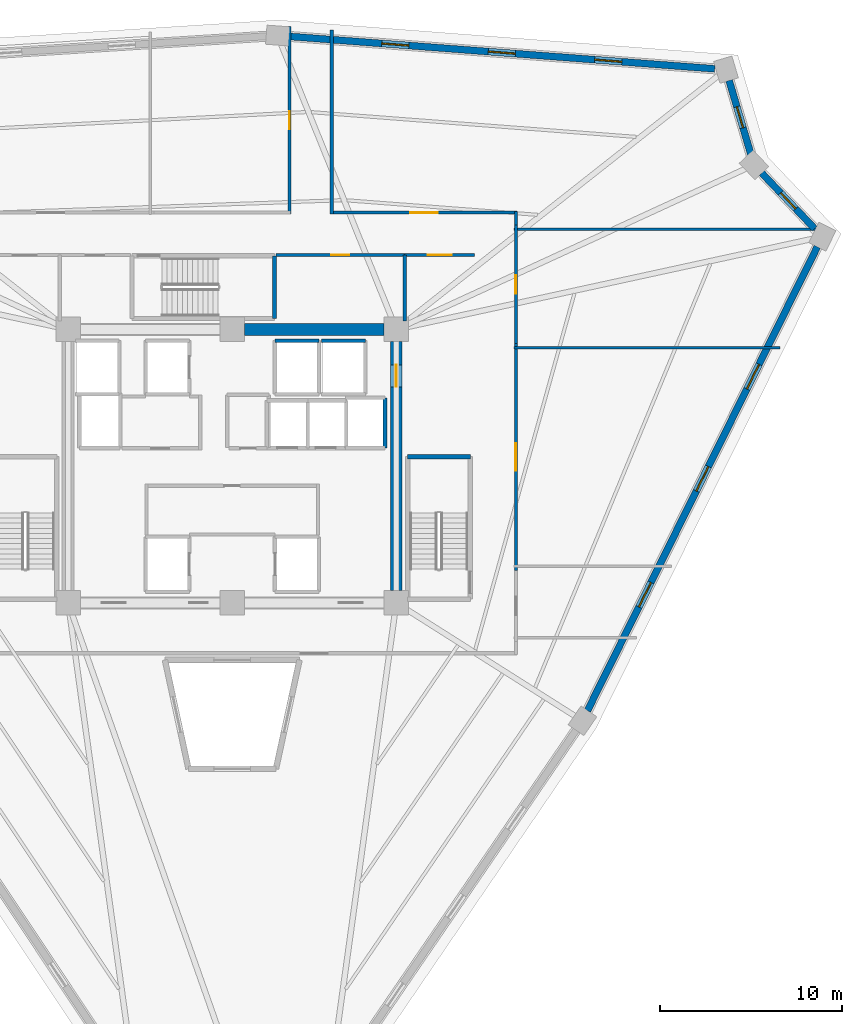
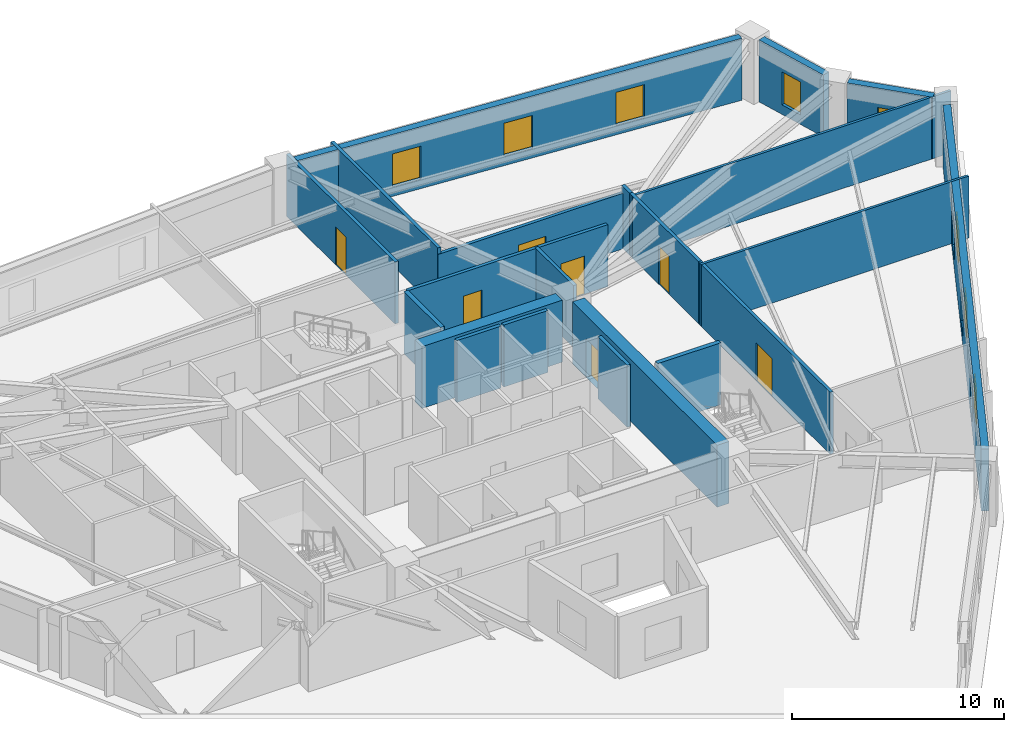
# One storey, part 6 of 9: 22 walls, 8 windows, 7 doors, 15 openings.
"""IFC4 building model written with IfcOpenShell, lengths in metres."""

from ifc_helpers import new_model, si_unit, direction, frame, frame_2d, origin, place, context, subcontext, project, spatial, rectangle, extrude, source, transform, mapped, material, layer, layer_set, type_object, element, fill, save


model = new_model("IFC4")

# Units and contexts
model_context = context("Model", 3, precision=1e-05, world=origin(), true_north=direction((0.0, 1.0)))
body_context = subcontext(model_context, "Body", "Model", "MODEL_VIEW")
ifc_project = project(units=[si_unit("LENGTHUNIT", "METRE"), si_unit("AREAUNIT", "SQUARE_METRE"), si_unit("VOLUMEUNIT", "CUBIC_METRE"), si_unit("PLANEANGLEUNIT", "RADIAN"), si_unit("MASSUNIT", "GRAM", prefix="KILO")], contexts=[model_context])

# Site, building, storey
site_placement = place(None, origin())
site = spatial("IfcSite", under=ifc_project, at=site_placement, CompositionType="ELEMENT")
building_placement = place(site_placement, origin())
building = spatial("IfcBuilding", under=site, at=building_placement, Name="Liaohun Quay Tower", CompositionType="ELEMENT")
storey_placement = place(building_placement, frame((0.0, 0.0, 236.25)))
storey = spatial("IfcBuildingStorey", under=building, at=storey_placement, Name="L61", CompositionType="ELEMENT", Elevation=236.25)

# Wall
ifc_material_1 = material(Name="Concrete C55", Category="concrete")
ifc_layer_1 = layer(ifc_material_1, 0.64990234375, Name="Concrete C55", Category="concrete")
ifc_layer_set_1 = layer_set([ifc_layer_1], Name="Concrete C55")
wall_type_1 = type_object("IfcWallType", Name="WAL-COR-Z3", PredefinedType="SHEAR", material=ifc_layer_set_1)
wall_1_placement = place(storey_placement, frame((60.675048828125, 61.5, 0.0), z_axis=(0.0, 0.0, 1.0), x_axis=(1.0, 0.0, 0.0)))
element("IfcWall", 1, at=wall_1_placement, inside=storey, type_object=wall_type_1, Name="L61 Central Core Shear Wall N-E", PredefinedType="SHEAR", context=body_context, shape_type="SweptSolid", body=[
    extrude(rectangle(XDim=7.64990234375, YDim=0.64990234375, at=frame_2d((3.824951171875, 0.0))), origin(), (0.0, 0.0, 1.0), 3.570068359375),
])

# Wall, opening, door
wall_2_placement = place(storey_placement, frame((69.0, 60.824951171875, 0.0), z_axis=(0.0, 0.0, 1.0), x_axis=(0.0, -1.0, 0.0)))
wall_2 = element("IfcWall", 2, at=wall_2_placement, inside=storey, type_object=wall_type_1, Name="L61 Central Core Shear Wall E", PredefinedType="SHEAR", context=body_context, shape_type="SweptSolid", body=[
    extrude(rectangle(XDim=13.64990234375, YDim=0.64990234375, at=frame_2d((6.824951171875, 0.0))), origin(), (0.0, 0.0, 1.0), 3.570068359375),
])
shared_shape_1 = source(origin(), body_context, "Body", "SweptSolid", [
    extrude(rectangle(XDim=1.199951171875, YDim=2.199951171875, at=frame_2d((0.60009765625, 1.10009765625))), frame((0.0, 0.3349609375, 0.0), z_axis=(0.0, -1.0, 0.0), x_axis=(1.0, 0.0, 0.0)), (0.0, 0.0, 1.0), 0.669921875),
])
opening_1_placement = place(wall_2_placement, frame((1.27490234375, 0.0, 0.0)))
opening_1 = element("IfcOpeningElement", 3, at=opening_1_placement, cuts=wall_2, Name="Opening SD1", PredefinedType="OPENING", context=body_context, shape_type="MappedRepresentation", body=[
    mapped(shared_shape_1, transform((0.0, 0.0, 0.0), x_axis=(1.0, 0.0, 0.0), y_axis=(0.0, 1.0, 0.0), z_axis=(0.0, 0.0, 1.0), scale=1.0)),
])
ifc_material_2 = material(Name="Galvanised steel fire door", Category="steel")
door_type_1 = type_object("IfcDoorType", Name="DOR-STR-1200", OperationType="NOTDEFINED", PredefinedType="DOOR", material=ifc_material_2)
shared_shape_2 = source(origin(), body_context, "Body", "SweptSolid", [
    extrude(rectangle(XDim=1.199951171875, YDim=2.199951171875, at=frame_2d((0.60009765625, 1.10009765625))), frame((0.0, 0.02490234375, 0.0), z_axis=(0.0, -1.0, 0.0), x_axis=(1.0, 0.0, 0.0)), (0.0, 0.0, 1.0), 0.050048828125),
])
door_1_placement = place(opening_1_placement, origin())
door_1 = element("IfcDoor", 4, at=door_1_placement, inside=storey, type_object=door_type_1, Name="L61 North-East Core Lobby Smokeproof Door", OperationType="SINGLE_SWING_LEFT", OverallHeight=2.199951171875, OverallWidth=1.199951171875, PredefinedType="DOOR", context=body_context, shape_type="MappedRepresentation", body=[
    mapped(shared_shape_2, transform((0.0, 0.0, 0.0), x_axis=(1.0, 0.0, 0.0), y_axis=(0.0, 1.0, 0.0), z_axis=(0.0, 0.0, 1.0), scale=1.0)),
])
fill(opening_1, door_1)

# Wall, openings, windows
ifc_material_3 = material(Name="Precast concrete C50 insulated sandwich", Category="concrete")
ifc_layer_2 = layer(ifc_material_3, 0.3798828125, Name="Precast concrete C50 insulated sandwich", Category="concrete")
ifc_layer_set_2 = layer_set([ifc_layer_2], Name="Precast concrete C50 insulated sandwich")
wall_type_2 = type_object("IfcWallType", Name="WAL-EXT-Z34", PredefinedType="SOLIDWALL", material=ifc_layer_set_2)
wall_3_placement = place(storey_placement, frame((79.48291015625, 40.5849609375, 0.0), z_axis=(0.0, 0.0, 1.0), x_axis=(0.444016540866, 0.896018588779, 0.0)))
wall_3 = element("IfcWall", 5, at=wall_3_placement, inside=storey, type_object=wall_type_2, Name="L61 Brutalist Precast Pier Wall 03", PredefinedType="SOLIDWALL", context=body_context, shape_type="SweptSolid", body=[
    extrude(rectangle(XDim=28.40234375, YDim=0.3798828125, at=frame_2d((14.201171875, 0.0))), origin(), (0.0, 0.0, 1.0), 3.570068359375),
])
shared_shape_3 = source(origin(), body_context, "Body", "SweptSolid", [
    extrude(rectangle(XDim=1.5, YDim=1.89990234375, at=frame_2d((0.75, 0.949951171875))), frame((0.0, 0.199951171875, 0.0), z_axis=(0.0, -1.0, 0.0), x_axis=(1.0, 0.0, 0.0)), (0.0, 0.0, 1.0), 0.39990234375),
])
opening_2_placement = place(wall_3_placement, frame((6.35107421875, 0.0, 0.550048828125)))
opening_2 = element("IfcOpeningElement", 6, at=opening_2_placement, cuts=wall_3, Name="Opening W03", PredefinedType="OPENING", context=body_context, shape_type="MappedRepresentation", body=[
    mapped(shared_shape_3, transform((0.0, 0.0, 0.0), x_axis=(1.0, 0.0, 0.0), y_axis=(0.0, 1.0, 0.0), z_axis=(0.0, 0.0, 1.0), scale=1.0)),
])
opening_3_placement = place(wall_3_placement, frame((13.450927734375, 0.0, 0.550048828125)))
opening_3 = element("IfcOpeningElement", 7, at=opening_3_placement, cuts=wall_3, Name="Opening W03", PredefinedType="OPENING", context=body_context, shape_type="MappedRepresentation", body=[
    mapped(shared_shape_3, transform((0.0, 0.0, 0.0), x_axis=(1.0, 0.0, 0.0), y_axis=(0.0, 1.0, 0.0), z_axis=(0.0, 0.0, 1.0), scale=1.0)),
])
opening_4_placement = place(wall_3_placement, frame((19.701904296875, 0.0, 0.550048828125)))
opening_4 = element("IfcOpeningElement", 8, at=opening_4_placement, cuts=wall_3, Name="Opening W03", PredefinedType="OPENING", context=body_context, shape_type="MappedRepresentation", body=[
    mapped(shared_shape_3, transform((0.0, 0.0, 0.0), x_axis=(1.0, 0.0, 0.0), y_axis=(0.0, 1.0, 0.0), z_axis=(0.0, 0.0, 1.0), scale=1.0)),
])
ifc_material_4 = material(Name="Triple Low-E argon glazing in thermally broken aluminium", Category="aluminium")
window_type_1 = type_object("IfcWindowType", Name="WIN-PUN-Z3", PartitioningType="DOUBLE_PANEL_VERTICAL", PredefinedType="WINDOW", material=ifc_material_4)
shared_shape_4 = source(origin(), body_context, "Body", "SweptSolid", [
    extrude(rectangle(XDim=1.5, YDim=1.89990234375, at=frame_2d((0.75, 0.949951171875))), frame((0.0, 0.030029296875, 0.0), z_axis=(0.0, -1.0, 0.0), x_axis=(1.0, 0.0, 0.0)), (0.0, 0.0, 1.0), 0.06005859375),
])
window_1_placement = place(opening_2_placement, origin())
window_1 = element("IfcWindow", 9, at=window_1_placement, inside=storey, type_object=window_type_1, Name="L61 Recessed Cold-Climate Punched Window 03-1", OverallHeight=1.89990234375, OverallWidth=1.5, PartitioningType="DOUBLE_PANEL_VERTICAL", PredefinedType="WINDOW", context=body_context, shape_type="MappedRepresentation", body=[
    mapped(shared_shape_4, transform((0.0, 0.0, 0.0), x_axis=(1.0, 0.0, 0.0), y_axis=(0.0, 1.0, 0.0), z_axis=(0.0, 0.0, 1.0), scale=1.0)),
])
fill(opening_2, window_1)
window_2_placement = place(opening_3_placement, origin())
window_2 = element("IfcWindow", 10, at=window_2_placement, inside=storey, type_object=window_type_1, Name="L61 Recessed Cold-Climate Punched Window 03-2", OverallHeight=1.89990234375, OverallWidth=1.5, PartitioningType="DOUBLE_PANEL_VERTICAL", PredefinedType="WINDOW", context=body_context, shape_type="MappedRepresentation", body=[
    mapped(shared_shape_4, transform((0.0, 0.0, 0.0), x_axis=(1.0, 0.0, 0.0), y_axis=(0.0, 1.0, 0.0), z_axis=(0.0, 0.0, 1.0), scale=1.0)),
])
fill(opening_3, window_2)
window_3_placement = place(opening_4_placement, origin())
window_3 = element("IfcWindow", 11, at=window_3_placement, inside=storey, type_object=window_type_1, Name="L61 Recessed Cold-Climate Punched Window 03-3", OverallHeight=1.89990234375, OverallWidth=1.5, PartitioningType="DOUBLE_PANEL_VERTICAL", PredefinedType="WINDOW", context=body_context, shape_type="MappedRepresentation", body=[
    mapped(shared_shape_4, transform((0.0, 0.0, 0.0), x_axis=(1.0, 0.0, 0.0), y_axis=(0.0, 1.0, 0.0), z_axis=(0.0, 0.0, 1.0), scale=1.0)),
])
fill(opening_4, window_3)

# Wall, opening, window
wall_4_placement = place(storey_placement, frame((91.943115234375, 67.031005859375, 0.0), z_axis=(0.0, 0.0, 1.0), x_axis=(-0.689450799111, 0.724332517291, 0.0)))
wall_4 = element("IfcWall", 12, at=wall_4_placement, inside=storey, type_object=wall_type_2, Name="L61 Brutalist Precast Pier Wall 04", PredefinedType="SOLIDWALL", context=body_context, shape_type="SweptSolid", body=[
    extrude(rectangle(XDim=4.20654296875, YDim=0.3798828125, at=frame_2d((2.103271484375, 0.0))), origin(), (0.0, 0.0, 1.0), 3.570068359375),
])
shared_shape_5 = source(origin(), body_context, "Body", "SweptSolid", [
    extrude(rectangle(XDim=1.199951171875, YDim=1.89990234375, at=frame_2d((0.60009765625, 0.949951171875))), frame((0.0, 0.199951171875, 0.0), z_axis=(0.0, -1.0, 0.0), x_axis=(1.0, 0.0, 0.0)), (0.0, 0.0, 1.0), 0.39990234375),
])
opening_5_placement = place(wall_4_placement, frame((1.5029296875, 0.0, 0.550048828125)))
opening_5 = element("IfcOpeningElement", 13, at=opening_5_placement, cuts=wall_4, Name="Opening W05", PredefinedType="OPENING", context=body_context, shape_type="MappedRepresentation", body=[
    mapped(shared_shape_5, transform((0.0, 0.0, 0.0), x_axis=(1.0, 0.0, 0.0), y_axis=(0.0, 1.0, 0.0), z_axis=(0.0, 0.0, 1.0), scale=1.0)),
])
ifc_material_5 = material(Name="Triple Low-E corner notch glazing", Category="glass")
window_type_2 = type_object("IfcWindowType", Name="WIN-NOTCH", PartitioningType="SINGLE_PANEL", PredefinedType="WINDOW", material=ifc_material_5)
shared_shape_6 = source(origin(), body_context, "Body", "SweptSolid", [
    extrude(rectangle(XDim=1.199951171875, YDim=1.89990234375, at=frame_2d((0.60009765625, 0.949951171875))), frame((0.0, 0.030029296875, 0.0), z_axis=(0.0, -1.0, 0.0), x_axis=(1.0, 0.0, 0.0)), (0.0, 0.0, 1.0), 0.06005859375),
])
window_4_placement = place(opening_5_placement, origin())
window_4 = element("IfcWindow", 14, at=window_4_placement, inside=storey, type_object=window_type_2, Name="L61 Corner Notch Window W05-04", OverallHeight=1.89990234375, OverallWidth=1.199951171875, PartitioningType="SINGLE_PANEL", PredefinedType="WINDOW", context=body_context, shape_type="MappedRepresentation", body=[
    mapped(shared_shape_6, transform((0.0, 0.0, 0.0), x_axis=(1.0, 0.0, 0.0), y_axis=(0.0, 1.0, 0.0), z_axis=(0.0, 0.0, 1.0), scale=1.0)),
])
fill(opening_5, window_4)

wall_5_placement = place(storey_placement, frame((88.445068359375, 71.114013671875, 0.0), z_axis=(0.0, 0.0, 1.0), x_axis=(-0.282677574057, 0.959214985874, 0.0)))
wall_5 = element("IfcWall", 15, at=wall_5_placement, inside=storey, type_object=wall_type_2, Name="L61 Brutalist Precast Pier Wall 05", PredefinedType="SOLIDWALL", context=body_context, shape_type="SweptSolid", body=[
    extrude(rectangle(XDim=4.2138671875, YDim=0.3798828125, at=frame_2d((2.10693359375, 0.0))), origin(), (0.0, 0.0, 1.0), 3.570068359375),
])
opening_6_placement = place(wall_5_placement, frame((1.507080078125, 0.0, 0.550048828125)))
opening_6 = element("IfcOpeningElement", 16, at=opening_6_placement, cuts=wall_5, Name="Opening W05", PredefinedType="OPENING", context=body_context, shape_type="MappedRepresentation", body=[
    mapped(shared_shape_5, transform((0.0, 0.0, 0.0), x_axis=(1.0, 0.0, 0.0), y_axis=(0.0, 1.0, 0.0), z_axis=(0.0, 0.0, 1.0), scale=1.0)),
])
window_5_placement = place(opening_6_placement, origin())
window_5 = element("IfcWindow", 17, at=window_5_placement, inside=storey, type_object=window_type_2, Name="L61 Corner Notch Window W05-05", OverallHeight=1.89990234375, OverallWidth=1.199951171875, PartitioningType="SINGLE_PANEL", PredefinedType="WINDOW", context=body_context, shape_type="MappedRepresentation", body=[
    mapped(shared_shape_6, transform((0.0, 0.0, 0.0), x_axis=(1.0, 0.0, 0.0), y_axis=(0.0, 1.0, 0.0), z_axis=(0.0, 0.0, 1.0), scale=1.0)),
])
fill(opening_6, window_5)

# Wall, openings, windows
wall_6_placement = place(storey_placement, frame((86.467041015625, 75.79296875, 0.0), z_axis=(0.0, 0.0, 1.0), x_axis=(-0.997110119143, 0.075969798617, 0.0)))
wall_6 = element("IfcWall", 18, at=wall_6_placement, inside=storey, type_object=wall_type_2, Name="L61 Brutalist Precast Pier Wall 06", PredefinedType="SOLIDWALL", context=body_context, shape_type="SweptSolid", body=[
    extrude(rectangle(XDim=23.4306640625, YDim=0.3798828125, at=frame_2d((11.71533203125, 0.0))), origin(), (0.0, 0.0, 1.0), 3.570068359375),
])
opening_7_placement = place(wall_6_placement, frame((5.10791015625, 0.0, 0.550048828125)))
opening_7 = element("IfcOpeningElement", 19, at=opening_7_placement, cuts=wall_6, Name="Opening W03", PredefinedType="OPENING", context=body_context, shape_type="MappedRepresentation", body=[
    mapped(shared_shape_3, transform((0.0, 0.0, 0.0), x_axis=(1.0, 0.0, 0.0), y_axis=(0.0, 1.0, 0.0), z_axis=(0.0, 0.0, 1.0), scale=1.0)),
])
opening_8_placement = place(wall_6_placement, frame((10.965087890625, 0.0, 0.550048828125)))
opening_8 = element("IfcOpeningElement", 20, at=opening_8_placement, cuts=wall_6, Name="Opening W03", PredefinedType="OPENING", context=body_context, shape_type="MappedRepresentation", body=[
    mapped(shared_shape_3, transform((0.0, 0.0, 0.0), x_axis=(1.0, 0.0, 0.0), y_axis=(0.0, 1.0, 0.0), z_axis=(0.0, 0.0, 1.0), scale=1.0)),
])
opening_9_placement = place(wall_6_placement, frame((16.822998046875, 0.0, 0.550048828125)))
opening_9 = element("IfcOpeningElement", 21, at=opening_9_placement, cuts=wall_6, Name="Opening W03", PredefinedType="OPENING", context=body_context, shape_type="MappedRepresentation", body=[
    mapped(shared_shape_3, transform((0.0, 0.0, 0.0), x_axis=(1.0, 0.0, 0.0), y_axis=(0.0, 1.0, 0.0), z_axis=(0.0, 0.0, 1.0), scale=1.0)),
])
window_6_placement = place(opening_7_placement, origin())
window_6 = element("IfcWindow", 22, at=window_6_placement, inside=storey, type_object=window_type_1, Name="L61 Recessed Cold-Climate Punched Window 06-1", OverallHeight=1.89990234375, OverallWidth=1.5, PartitioningType="DOUBLE_PANEL_VERTICAL", PredefinedType="WINDOW", context=body_context, shape_type="MappedRepresentation", body=[
    mapped(shared_shape_4, transform((0.0, 0.0, 0.0), x_axis=(1.0, 0.0, 0.0), y_axis=(0.0, 1.0, 0.0), z_axis=(0.0, 0.0, 1.0), scale=1.0)),
])
fill(opening_7, window_6)
window_7_placement = place(opening_8_placement, origin())
window_7 = element("IfcWindow", 23, at=window_7_placement, inside=storey, type_object=window_type_1, Name="L61 Recessed Cold-Climate Punched Window 06-2", OverallHeight=1.89990234375, OverallWidth=1.5, PartitioningType="DOUBLE_PANEL_VERTICAL", PredefinedType="WINDOW", context=body_context, shape_type="MappedRepresentation", body=[
    mapped(shared_shape_4, transform((0.0, 0.0, 0.0), x_axis=(1.0, 0.0, 0.0), y_axis=(0.0, 1.0, 0.0), z_axis=(0.0, 0.0, 1.0), scale=1.0)),
])
fill(opening_8, window_7)
window_8_placement = place(opening_9_placement, origin())
window_8 = element("IfcWindow", 24, at=window_8_placement, inside=storey, type_object=window_type_1, Name="L61 Recessed Cold-Climate Punched Window 06-3", OverallHeight=1.89990234375, OverallWidth=1.5, PartitioningType="DOUBLE_PANEL_VERTICAL", PredefinedType="WINDOW", context=body_context, shape_type="MappedRepresentation", body=[
    mapped(shared_shape_4, transform((0.0, 0.0, 0.0), x_axis=(1.0, 0.0, 0.0), y_axis=(0.0, 1.0, 0.0), z_axis=(0.0, 0.0, 1.0), scale=1.0)),
])
fill(opening_9, window_8)

# Wall, opening, door
ifc_material_6 = material(Name="Autoclaved aerated concrete blockwork", Category="masonry")
ifc_layer_3 = layer(ifc_material_6, 0.179931640625, Name="Autoclaved aerated concrete blockwork", Category="masonry")
ifc_layer_set_3 = layer_set([ifc_layer_3], Name="Autoclaved aerated concrete blockwork")
wall_type_3 = type_object("IfcWallType", Name="WAL-PRT-COR", PredefinedType="PARTITIONING", material=ifc_layer_set_3)
wall_7_placement = place(storey_placement, frame((62.389892578125, 65.580078125, 0.0), z_axis=(0.0, 0.0, 1.0), x_axis=(1.0, 0.0, 0.0)))
wall_7 = element("IfcWall", 25, at=wall_7_placement, inside=storey, type_object=wall_type_3, Name="L61 Interior Partition Wall 008", PredefinedType="PARTITIONING", context=body_context, shape_type="SweptSolid", body=[
    extrude(rectangle(XDim=7.070068359375, YDim=0.179931640625, at=frame_2d((3.53515625, 0.0))), origin(), (0.0, 0.0, 1.0), 3.570068359375),
])
shared_shape_7 = source(origin(), body_context, "Body", "SweptSolid", [
    extrude(rectangle(XDim=1.0, YDim=2.199951171875, at=frame_2d((0.5, 1.10009765625))), frame((0.0, 0.099853515625, 0.0), z_axis=(0.0, -1.0, 0.0), x_axis=(1.0, 0.0, 0.0)), (0.0, 0.0, 1.0), 0.199951171875),
])
opening_10_placement = place(wall_7_placement, frame((3.034912109375, 0.0, 0.0)))
opening_10 = element("IfcOpeningElement", 26, at=opening_10_placement, cuts=wall_7, Name="Opening OD1", PredefinedType="OPENING", context=body_context, shape_type="MappedRepresentation", body=[
    mapped(shared_shape_7, transform((0.0, 0.0, 0.0), x_axis=(1.0, 0.0, 0.0), y_axis=(0.0, 1.0, 0.0), z_axis=(0.0, 0.0, 1.0), scale=1.0)),
])
ifc_material_7 = material(Name="Solid-core oak veneer timber leaf in steel frame", Category="steel")
door_type_2 = type_object("IfcDoorType", Name="DOR-OFF-1000", OperationType="NOTDEFINED", PredefinedType="DOOR", material=ifc_material_7)
shared_shape_8 = source(origin(), body_context, "Body", "SweptSolid", [
    extrude(rectangle(XDim=1.0, YDim=2.199951171875, at=frame_2d((0.5, 1.10009765625))), frame((0.0, 0.02490234375, 0.0), z_axis=(0.0, -1.0, 0.0), x_axis=(1.0, 0.0, 0.0)), (0.0, 0.0, 1.0), 0.050048828125),
])
door_2_placement = place(opening_10_placement, origin())
door_2 = element("IfcDoor", 27, at=door_2_placement, inside=storey, type_object=door_type_2, Name="L61 North-East Archive and Mail Room Door", OperationType="SINGLE_SWING_RIGHT", OverallHeight=2.199951171875, OverallWidth=1.0, PredefinedType="DOOR", context=body_context, shape_type="MappedRepresentation", body=[
    mapped(shared_shape_8, transform((0.0, 0.0, 0.0), x_axis=(1.0, 0.0, 0.0), y_axis=(0.0, 1.0, 0.0), z_axis=(0.0, 0.0, 1.0), scale=1.0)),
])
fill(opening_10, door_2)

wall_8_placement = place(storey_placement, frame((69.4599609375, 65.580078125, 0.0), z_axis=(0.0, 0.0, 1.0), x_axis=(1.0, 0.0, 0.0)))
wall_8 = element("IfcWall", 28, at=wall_8_placement, inside=storey, type_object=wall_type_3, Name="L61 Interior Partition Wall 010", PredefinedType="PARTITIONING", context=body_context, shape_type="SweptSolid", body=[
    extrude(rectangle(XDim=3.840087890625, YDim=0.179931640625, at=frame_2d((1.919921875, 0.0))), origin(), (0.0, 0.0, 1.0), 3.570068359375),
])
shared_shape_9 = source(origin(), body_context, "Body", "SweptSolid", [
    extrude(rectangle(XDim=1.300048828125, YDim=2.199951171875, at=frame_2d((0.64990234375, 1.10009765625))), frame((0.0, 0.099853515625, 0.0), z_axis=(0.0, -1.0, 0.0), x_axis=(1.0, 0.0, 0.0)), (0.0, 0.0, 1.0), 0.199951171875),
])
opening_11_placement = place(wall_8_placement, frame((1.27001953125, 0.0, 0.0)))
opening_11 = element("IfcOpeningElement", 29, at=opening_11_placement, cuts=wall_8, Name="Opening FD1", PredefinedType="OPENING", context=body_context, shape_type="MappedRepresentation", body=[
    mapped(shared_shape_9, transform((0.0, 0.0, 0.0), x_axis=(1.0, 0.0, 0.0), y_axis=(0.0, 1.0, 0.0), z_axis=(0.0, 0.0, 1.0), scale=1.0)),
])
ifc_material_8 = material(Name="Galvanised steel smokeproof fire door", Category="steel")
door_type_3 = type_object("IfcDoorType", Name="DOR-FFL-1300", OperationType="NOTDEFINED", PredefinedType="DOOR", material=ifc_material_8)
shared_shape_10 = source(origin(), body_context, "Body", "SweptSolid", [
    extrude(rectangle(XDim=1.300048828125, YDim=2.199951171875, at=frame_2d((0.64990234375, 1.10009765625))), frame((0.0, 0.02490234375, 0.0), z_axis=(0.0, -1.0, 0.0), x_axis=(1.0, 0.0, 0.0)), (0.0, 0.0, 1.0), 0.050048828125),
])
door_3_placement = place(opening_11_placement, origin())
door_3 = element("IfcDoor", 30, at=door_3_placement, inside=storey, type_object=door_type_3, Name="L61 East Core Vestibule Door", OperationType="SINGLE_SWING_RIGHT", OverallHeight=2.199951171875, OverallWidth=1.300048828125, PredefinedType="DOOR", context=body_context, shape_type="MappedRepresentation", body=[
    mapped(shared_shape_10, transform((0.0, 0.0, 0.0), x_axis=(1.0, 0.0, 0.0), y_axis=(0.0, 1.0, 0.0), z_axis=(0.0, 0.0, 1.0), scale=1.0)),
])
fill(opening_11, door_3)

wall_9_placement = place(storey_placement, frame((75.56005859375, 60.715087890625, 0.0), z_axis=(0.0, 0.0, 1.0), x_axis=(0.0, -1.0, 0.0)))
wall_9 = element("IfcWall", 31, at=wall_9_placement, inside=storey, type_object=wall_type_3, Name="L61 Interior Partition Wall 011", PredefinedType="PARTITIONING", context=body_context, shape_type="SweptSolid", body=[
    extrude(rectangle(XDim=12.43017578125, YDim=0.179931640625, at=frame_2d((6.215087890625, 0.0))), origin(), (0.0, 0.0, 1.0), 3.570068359375),
])
shared_shape_11 = source(origin(), body_context, "Body", "SweptSolid", [
    extrude(rectangle(XDim=1.5, YDim=2.199951171875, at=frame_2d((0.75, 1.10009765625))), frame((0.0, 0.099853515625, 0.0), z_axis=(0.0, -1.0, 0.0), x_axis=(1.0, 0.0, 0.0)), (0.0, 0.0, 1.0), 0.199951171875),
])
opening_12_placement = place(wall_9_placement, frame((5.465087890625, 0.0, 0.0)))
opening_12 = element("IfcOpeningElement", 32, at=opening_12_placement, cuts=wall_9, Name="Opening OD2", PredefinedType="OPENING", context=body_context, shape_type="MappedRepresentation", body=[
    mapped(shared_shape_11, transform((0.0, 0.0, 0.0), x_axis=(1.0, 0.0, 0.0), y_axis=(0.0, 1.0, 0.0), z_axis=(0.0, 0.0, 1.0), scale=1.0)),
])
ifc_material_9 = material(Name="Acoustic oak veneer double door")
door_type_4 = type_object("IfcDoorType", Name="DOR-OFF-1500", OperationType="DOUBLE_DOOR_SINGLE_SWING", PredefinedType="DOOR", material=ifc_material_9)
shared_shape_12 = source(origin(), body_context, "Body", "SweptSolid", [
    extrude(rectangle(XDim=1.5, YDim=2.199951171875, at=frame_2d((0.75, 1.10009765625))), frame((0.0, 0.02490234375, 0.0), z_axis=(0.0, -1.0, 0.0), x_axis=(1.0, 0.0, 0.0)), (0.0, 0.0, 1.0), 0.050048828125),
])
door_4_placement = place(opening_12_placement, origin())
door_4 = element("IfcDoor", 33, at=door_4_placement, inside=storey, type_object=door_type_4, Name="L61 Digital Prototyping Laboratory 01 Door", OperationType="DOUBLE_DOOR_SINGLE_SWING", OverallHeight=2.199951171875, OverallWidth=1.5, PredefinedType="DOOR", context=body_context, shape_type="MappedRepresentation", body=[
    mapped(shared_shape_12, transform((0.0, 0.0, 0.0), x_axis=(1.0, 0.0, 0.0), y_axis=(0.0, 1.0, 0.0), z_axis=(0.0, 0.0, 1.0), scale=1.0)),
])
fill(opening_12, door_4)

wall_10_placement = place(storey_placement, frame((75.56005859375, 67.215087890625, 0.0), z_axis=(0.0, 0.0, 1.0), x_axis=(0.0, -1.0, 0.0)))
wall_10 = element("IfcWall", 34, at=wall_10_placement, inside=storey, type_object=wall_type_3, Name="L61 Interior Partition Wall 012", PredefinedType="PARTITIONING", context=body_context, shape_type="SweptSolid", body=[
    extrude(rectangle(XDim=6.5, YDim=0.179931640625, at=frame_2d((3.25, 0.0))), origin(), (0.0, 0.0, 1.0), 3.570068359375),
])
opening_13_placement = place(wall_10_placement, frame((2.75, 0.0, 0.0)))
opening_13 = element("IfcOpeningElement", 35, at=opening_13_placement, cuts=wall_10, Name="Opening OD1", PredefinedType="OPENING", context=body_context, shape_type="MappedRepresentation", body=[
    mapped(shared_shape_7, transform((0.0, 0.0, 0.0), x_axis=(1.0, 0.0, 0.0), y_axis=(0.0, 1.0, 0.0), z_axis=(0.0, 0.0, 1.0), scale=1.0)),
])
door_5_placement = place(opening_13_placement, origin())
door_5 = element("IfcDoor", 36, at=door_5_placement, inside=storey, type_object=door_type_2, Name="L61 Engineering Model Workshop 02 Door", OperationType="SINGLE_SWING_RIGHT", OverallHeight=2.199951171875, OverallWidth=1.0, PredefinedType="DOOR", context=body_context, shape_type="MappedRepresentation", body=[
    mapped(shared_shape_8, transform((0.0, 0.0, 0.0), x_axis=(1.0, 0.0, 0.0), y_axis=(0.0, 1.0, 0.0), z_axis=(0.0, 0.0, 1.0), scale=1.0)),
])
fill(opening_13, door_5)

wall_11_placement = place(storey_placement, frame((65.389892578125, 67.909912109375, 0.0), z_axis=(0.0, 0.0, 1.0), x_axis=(1.0, 0.0, 0.0)))
wall_11 = element("IfcWall", 37, at=wall_11_placement, inside=storey, type_object=wall_type_3, Name="L61 Interior Partition Wall 013", PredefinedType="PARTITIONING", context=body_context, shape_type="SweptSolid", body=[
    extrude(rectangle(XDim=10.239990234375, YDim=0.179931640625, at=frame_2d((5.1201171875, 0.0))), origin(), (0.0, 0.0, 1.0), 3.205078125),
])
opening_14_placement = place(wall_11_placement, frame((4.3701171875, 0.0, 0.0)))
opening_14 = element("IfcOpeningElement", 38, at=opening_14_placement, cuts=wall_11, Name="Opening OD2", PredefinedType="OPENING", context=body_context, shape_type="MappedRepresentation", body=[
    mapped(shared_shape_11, transform((0.0, 0.0, 0.0), x_axis=(1.0, 0.0, 0.0), y_axis=(0.0, 1.0, 0.0), z_axis=(0.0, 0.0, 1.0), scale=1.0)),
])
door_6_placement = place(opening_14_placement, origin())
door_6 = element("IfcDoor", 39, at=door_6_placement, inside=storey, type_object=door_type_4, Name="L61 Digital Prototyping Laboratory 03 Door", OperationType="DOUBLE_DOOR_SINGLE_SWING", OverallHeight=2.199951171875, OverallWidth=1.5, PredefinedType="DOOR", context=body_context, shape_type="MappedRepresentation", body=[
    mapped(shared_shape_12, transform((0.0, 0.0, 0.0), x_axis=(1.0, 0.0, 0.0), y_axis=(0.0, 1.0, 0.0), z_axis=(0.0, 0.0, 1.0), scale=1.0)),
])
fill(opening_14, door_6)

wall_12_placement = place(storey_placement, frame((63.139892578125, 67.840087890625, 0.0), z_axis=(0.0, 0.0, 1.0), x_axis=(0.0, 1.0, 0.0)))
wall_12 = element("IfcWall", 40, at=wall_12_placement, inside=storey, type_object=wall_type_3, Name="L61 Interior Partition Wall 014", PredefinedType="PARTITIONING", context=body_context, shape_type="SweptSolid", body=[
    extrude(rectangle(XDim=10.27197265625, YDim=0.179931640625, at=frame_2d((5.135986328125, 0.0))), origin(), (0.0, 0.0, 1.0), 3.570068359375),
])
opening_15_placement = place(wall_12_placement, frame((4.635986328125, 0.0, 0.0)))
opening_15 = element("IfcOpeningElement", 41, at=opening_15_placement, cuts=wall_12, Name="Opening OD1", PredefinedType="OPENING", context=body_context, shape_type="MappedRepresentation", body=[
    mapped(shared_shape_7, transform((0.0, 0.0, 0.0), x_axis=(1.0, 0.0, 0.0), y_axis=(0.0, 1.0, 0.0), z_axis=(0.0, 0.0, 1.0), scale=1.0)),
])
door_7_placement = place(opening_15_placement, origin())
door_7 = element("IfcDoor", 42, at=door_7_placement, inside=storey, type_object=door_type_2, Name="L61 Project Collaboration Studio 04 Door", OperationType="SINGLE_SWING_RIGHT", OverallHeight=2.199951171875, OverallWidth=1.0, PredefinedType="DOOR", context=body_context, shape_type="MappedRepresentation", body=[
    mapped(shared_shape_8, transform((0.0, 0.0, 0.0), x_axis=(1.0, 0.0, 0.0), y_axis=(0.0, 1.0, 0.0), z_axis=(0.0, 0.0, 1.0), scale=1.0)),
])
fill(opening_15, door_7)

# Walls
wall_13_placement = place(storey_placement, frame((69.4599609375, 61.949951171875, 0.0), z_axis=(0.0, 0.0, 1.0), x_axis=(0.0, 1.0, 0.0)))
element("IfcWall", 43, at=wall_13_placement, inside=storey, type_object=wall_type_3, Name="L61 Interior Partition Wall 030", PredefinedType="PARTITIONING", context=body_context, shape_type="SweptSolid", body=[
    extrude(rectangle(XDim=3.630126953125, YDim=0.179931640625, at=frame_2d((1.81494140625, 0.0))), origin(), (0.0, 0.0, 1.0), 3.570068359375),
])
wall_14_placement = place(storey_placement, frame((65.4599609375, 77.93505859375, 0.0), z_axis=(0.0, 0.0, 1.0), x_axis=(0.0, -1.0, 0.0)))
element("IfcWall", 44, at=wall_14_placement, inside=storey, type_object=wall_type_3, Name="L61 Interior Partition Wall 031", PredefinedType="PARTITIONING", context=body_context, shape_type="SweptSolid", body=[
    extrude(rectangle(XDim=10.094970703125, YDim=0.179931640625, at=frame_2d((5.04736328125, 0.0))), origin(), (0.0, 0.0, 1.0), 3.570068359375),
])
wall_15_placement = place(storey_placement, frame((75.56005859375, 67.97998046875, 0.0), z_axis=(0.0, 0.0, 1.0), x_axis=(0.0, -1.0, 0.0)))
element("IfcWall", 45, at=wall_15_placement, inside=storey, type_object=wall_type_3, Name="L61 Interior Partition Wall 032", PredefinedType="PARTITIONING", context=body_context, shape_type="SweptSolid", body=[
    extrude(rectangle(XDim=0.764892578125, YDim=0.179931640625, at=frame_2d((0.38232421875, 0.0))), origin(), (0.0, 0.0, 1.0), 3.570068359375),
])
ifc_material_10 = material(Name="Gypsum board on twin steel studs", Category="steel")
ifc_layer_4 = layer(ifc_material_10, 0.139892578125, Name="Gypsum board on twin steel studs", Category="steel")
ifc_layer_set_4 = layer_set([ifc_layer_4], Name="Gypsum board on twin steel studs")
wall_type_4 = type_object("IfcWallType", Name="WAL-PRT-OFF", PredefinedType="PARTITIONING", material=ifc_layer_set_4)
wall_16_placement = place(storey_placement, frame((75.4599609375, 60.5, 0.0), z_axis=(0.0, 0.0, 1.0), x_axis=(1.0, 0.0, 0.0)))
element("IfcWall", 46, at=wall_16_placement, inside=storey, type_object=wall_type_4, Name="L61 Interior Partition Wall 045", PredefinedType="PARTITIONING", context=body_context, shape_type="SweptSolid", body=[
    extrude(rectangle(XDim=14.594970703125, YDim=0.139892578125, at=frame_2d((7.29736328125, 0.0))), origin(), (0.0, 0.0, 1.0), 3.570068359375),
])
wall_17_placement = place(storey_placement, frame((75.4599609375, 67.0, 0.0), z_axis=(0.0, 0.0, 1.0), x_axis=(1.0, 0.0, 0.0)))
element("IfcWall", 47, at=wall_17_placement, inside=storey, type_object=wall_type_4, Name="L61 Interior Partition Wall 046", PredefinedType="PARTITIONING", context=body_context, shape_type="SweptSolid", body=[
    extrude(rectangle(XDim=17.382080078125, YDim=0.139892578125, at=frame_2d((8.69091796875, 0.0))), origin(), (0.0, 0.0, 1.0), 3.570068359375),
])
ifc_material_11 = material(Name="Concrete C50", Category="concrete")
ifc_layer_5 = layer(ifc_material_11, 0.239990234375, Name="Concrete C50", Category="concrete")
ifc_layer_set_5 = layer_set([ifc_layer_5], Name="Concrete C50")
wall_type_5 = type_object("IfcWallType", Name="WAL-SHF-200", PredefinedType="SOLIDWALL", material=ifc_layer_set_5)
for number, where, z_axis, x_axis, name in (
    (48, (73.06005859375, 54.52001953125, 0.0), (0.0, 0.0, 1.0), (-1.0, 0.0, 0.0), "L61 Stairwell ST-2 Structural Core Wall N"),
    (49, (62.320068359375, 62.10009765625, 0.0), (0.0, 0.0, 1.0), (0.0, 1.0, 0.0), "L61 Stairwell ST-3 Structural Core Wall E"),
):
    element("IfcWall", number, at=place(storey_placement, frame(where, z_axis=z_axis, x_axis=x_axis)), inside=storey, type_object=wall_type_5, Name=name, PredefinedType="SOLIDWALL", context=body_context, shape_type="SweptSolid", body=[
        extrude(rectangle(XDim=3.43994140625, YDim=0.239990234375, at=frame_2d((1.719970703125, 0.0))), origin(), (0.0, 0.0, 1.0), 3.570068359375),
    ])
wall_18_placement = place(storey_placement, frame((64.75, 60.8798828125, 0.0), z_axis=(0.0, 0.0, 1.0), x_axis=(-1.0, 0.0, 0.0)))
element("IfcWall", 50, at=wall_18_placement, inside=storey, type_object=wall_type_5, Name="L61 Lift OB-01 Hoistway Wall N", PredefinedType="SOLIDWALL", context=body_context, shape_type="SweptSolid", body=[
    extrude(rectangle(XDim=2.39990234375, YDim=0.199951171875, at=frame_2d((1.199951171875, 0.0))), origin(), (0.0, 0.0, 1.0), 3.570068359375),
])
wall_19_placement = place(storey_placement, frame((67.300048828125, 60.8798828125, 0.0), z_axis=(0.0, 0.0, 1.0), x_axis=(-1.0, 0.0, 0.0)))
element("IfcWall", 51, at=wall_19_placement, inside=storey, type_object=wall_type_5, Name="L61 Lift OB-02 Hoistway Wall N", PredefinedType="SOLIDWALL", context=body_context, shape_type="SweptSolid", body=[
    extrude(rectangle(XDim=2.400146484375, YDim=0.199951171875, at=frame_2d((1.2001953125, 0.0))), origin(), (0.0, 0.0, 1.0), 3.570068359375),
])
wall_20_placement = place(storey_placement, frame((68.3798828125, 55.0, 0.0), z_axis=(0.0, 0.0, 1.0), x_axis=(0.0, 1.0, 0.0)))
element("IfcWall", 52, at=wall_20_placement, inside=storey, type_object=wall_type_5, Name="L61 Lift SH-03 Hoistway Wall E", PredefinedType="SOLIDWALL", context=body_context, shape_type="SweptSolid", body=[
    extrude(rectangle(XDim=2.75, YDim=0.199951171875, at=frame_2d((1.375, 0.0))), origin(), (0.0, 0.0, 1.0), 3.570068359375),
])

save(model, "model.ifc")
